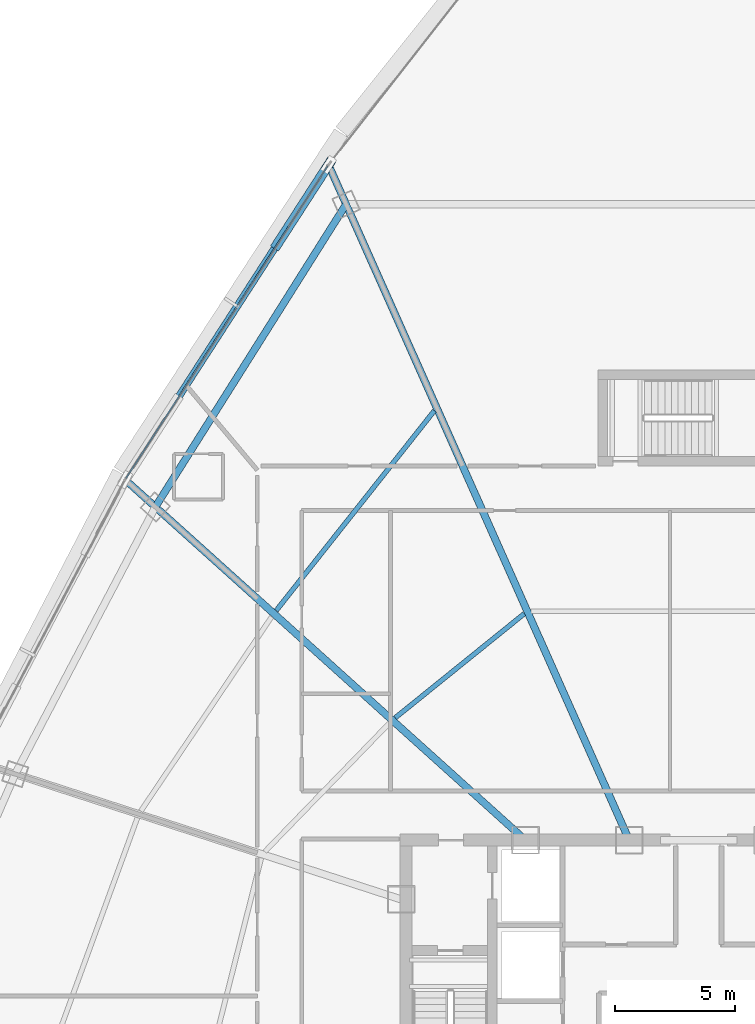
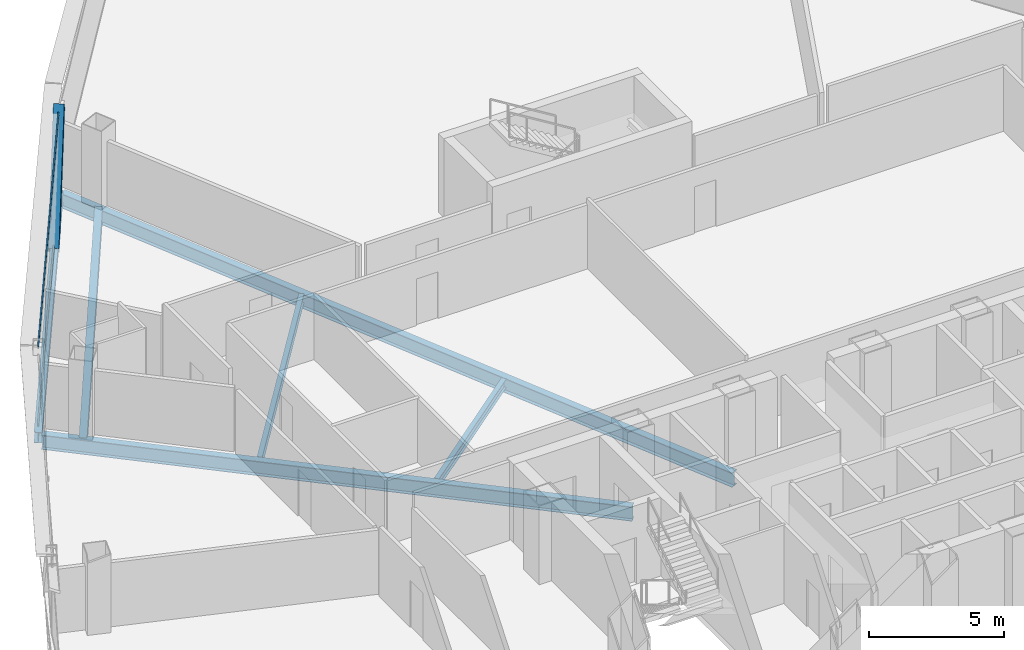
# One storey, part 17 of 38: 6 beams, 3 members, 1 element without a shape of its own.
"""IFC4 building model written with IfcOpenShell, lengths in metres."""

from ifc_helpers import new_model, si_unit, direction, frame, origin, origin_2d, place, context, subcontext, project, spatial, hollow_rectangle, i_section, extrude, source, transform, mapped, material, layer, layer_set, material_profile, profile_set, type_object, element, aggregate, save


model = new_model("IFC4")

# Units and contexts
model_context = context("Model", 3, precision=1e-05, world=origin(), true_north=direction((0.0, 1.0)))
body_context = subcontext(model_context, "Body", "Model", "MODEL_VIEW")
ifc_project = project(units=[si_unit("LENGTHUNIT", "METRE"), si_unit("AREAUNIT", "SQUARE_METRE"), si_unit("VOLUMEUNIT", "CUBIC_METRE"), si_unit("PLANEANGLEUNIT", "RADIAN"), si_unit("MASSUNIT", "GRAM", prefix="KILO"), si_unit("THERMODYNAMICTEMPERATUREUNIT", "KELVIN"), si_unit("POWERUNIT", "WATT")], contexts=[model_context])

# Site, building, storey
site_placement = place(None, origin())
site = spatial("IfcSite", under=ifc_project, at=site_placement, CompositionType="ELEMENT")
building_placement = place(site_placement, origin())
building = spatial("IfcBuilding", under=site, at=building_placement, Name="Yunzhuo Pagoda Commons", CompositionType="ELEMENT")
storey_placement = place(building_placement, frame((0.0, 0.0, 203.760009765625)))
storey = spatial("IfcBuildingStorey", under=building, at=storey_placement, Name="L51", CompositionType="ELEMENT", Elevation=203.760009765625)

# Beams
ifc_material_1 = material(Name="Structural steel Q355B", Category="steel")
ifc_material_profile_1 = material_profile(ifc_material_1, i_section(OverallWidth=0.300048828125, OverallDepth=0.64990234375, WebThickness=0.012939453125, FlangeThickness=0.02197265625, at=origin_2d()), Name="Structural steel Q355B")
ifc_profile_set_1 = profile_set([ifc_material_profile_1], Name="Structural steel Q355B")
beam_type_1 = type_object("IfcBeamType", Name="B-RG2 Beam HN 650x300x13x22", PredefinedType="BEAM", material=ifc_profile_set_1)
shared_shape_1 = source(origin(), body_context, "Body", "SweptSolid", [
    extrude(i_section(OverallWidth=0.300048828125, OverallDepth=0.64990234375, WebThickness=0.012939453125, FlangeThickness=0.02197265625, at=origin_2d()), origin(), (0.0, 0.0, 1.0), 14.916015625),
])
beam_1_placement = place(storey_placement, frame((33.301025390625, 66.714599609375, -0.5849609375), z_axis=(-0.533092374013, -0.846057043449, 0.0), x_axis=(0.846057043449, -0.533092374013, 0.0)))
element("IfcBeam", 1, at=beam_1_placement, inside=storey, type_object=beam_type_1, Name="L51 column-ring beam 9", PredefinedType="BEAM", context=body_context, shape_type="MappedRepresentation", body=[
    mapped(shared_shape_1, transform((0.0, 0.0, 0.0), scale=1.0)),
])
ifc_material_profile_2 = material_profile(ifc_material_1, i_section(OverallWidth=0.199951171875, OverallDepth=0.39990234375, WebThickness=0.008056640625, FlangeThickness=0.012939453125, at=origin_2d()), Name="Structural steel Q355B")
ifc_profile_set_2 = profile_set([ifc_material_profile_2], Name="Structural steel Q355B")
beam_type_2 = type_object("IfcBeamType", Name="B-JS1 Joist HN 400x200x8x13", PredefinedType="JOIST", material=ifc_profile_set_2)
shared_shape_2 = source(origin(), body_context, "Body", "SweptSolid", [
    extrude(i_section(OverallWidth=0.199951171875, OverallDepth=0.39990234375, WebThickness=0.008056640625, FlangeThickness=0.012939453125, at=origin_2d()), origin(), (0.0, 0.0, 1.0), 6.916748046875),
])
beam_2_placement = place(storey_placement, frame((40.732421875, 49.645263671875, -0.4599609375), z_axis=(-0.778265575865, -0.627935262127, 0.0), x_axis=(0.627935262127, -0.778265575865, 0.0)))
element("IfcBeam", 2, at=beam_2_placement, inside=storey, type_object=beam_type_2, Name="L51 composite ring joist 1.9", PredefinedType="JOIST", context=body_context, shape_type="MappedRepresentation", body=[
    mapped(shared_shape_2, transform((0.0, 0.0, 0.0), scale=1.0)),
])
shared_shape_3 = source(origin(), body_context, "Body", "SweptSolid", [
    extrude(i_section(OverallWidth=0.199951171875, OverallDepth=0.39990234375, WebThickness=0.008056640625, FlangeThickness=0.012939453125, at=origin_2d()), origin(), (0.0, 0.0, 1.0), 10.625732421875),
])
beam_3_placement = place(storey_placement, frame((36.980224609375, 58.105224609375, -0.4599609375), z_axis=(-0.620589944532, -0.784135269418, 0.0), x_axis=(0.784135269418, -0.620589944532, 0.0)))
element("IfcBeam", 3, at=beam_3_placement, inside=storey, type_object=beam_type_2, Name="L51 composite ring joist 2.9", PredefinedType="JOIST", context=body_context, shape_type="MappedRepresentation", body=[
    mapped(shared_shape_3, transform((0.0, 0.0, 0.0), scale=1.0)),
])
shared_shape_4 = source(origin(), body_context, "Body", "SweptSolid", [
    extrude(i_section(OverallWidth=0.300048828125, OverallDepth=0.64990234375, WebThickness=0.012939453125, FlangeThickness=0.02197265625, at=origin_2d()), origin(), (0.0, 0.0, 1.0), 22.309326171875),
])
beam_4_placement = place(storey_placement, frame((24.201904296875, 55.1279296875, -0.5849609375), z_axis=(0.743142854704, -0.669132795118, 0.0), x_axis=(0.669132795118, 0.743142854704, 0.0)))
element("IfcBeam", 4, at=beam_4_placement, inside=storey, type_object=beam_type_1, Name="L51 radial floor girder F3C2", PredefinedType="BEAM", context=body_context, shape_type="MappedRepresentation", body=[
    mapped(shared_shape_4, transform((0.0, 0.0, 0.0), scale=1.0)),
])
shared_shape_5 = source(origin(), body_context, "Body", "SweptSolid", [
    extrude(i_section(OverallWidth=0.300048828125, OverallDepth=0.64990234375, WebThickness=0.012939453125, FlangeThickness=0.02197265625, at=origin_2d()), origin(), (0.0, 0.0, 1.0), 30.670166015625),
])
beam_5_placement = place(storey_placement, frame((32.63134765625, 68.218505859375, -0.5849609375), z_axis=(0.406735149386, -0.913546122675, 0.0), x_axis=(0.913546122675, 0.406735149386, 0.0)))
element("IfcBeam", 5, at=beam_5_placement, inside=storey, type_object=beam_type_1, Name="L51 radial floor girder F3C1", PredefinedType="BEAM", context=body_context, shape_type="MappedRepresentation", body=[
    mapped(shared_shape_5, transform((0.0, 0.0, 0.0), scale=1.0)),
])
ifc_material_profile_3 = material_profile(ifc_material_1, i_section(OverallWidth=0.300048828125, OverallDepth=0.488037109375, WebThickness=0.010986328125, FlangeThickness=0.01806640625, at=origin_2d()), Name="Structural steel Q355B")
ifc_profile_set_3 = profile_set([ifc_material_profile_3], Name="Structural steel Q355B")
beam_type_3 = type_object("IfcBeamType", Name="B-SP1 Beam HM 488x300x11x18", PredefinedType="BEAM", material=ifc_profile_set_3)
shared_shape_6 = source(origin(), body_context, "Body", "SweptSolid", [
    extrude(i_section(OverallWidth=0.300048828125, OverallDepth=0.488037109375, WebThickness=0.010986328125, FlangeThickness=0.01806640625, at=origin_2d()), origin(), (0.0, 0.0, 1.0), 15.6298828125),
])
beam_6_placement = place(storey_placement, frame((32.568359375, 68.360107421875, -0.503662109375), z_axis=(-0.542639096157, -0.83996595843, 0.0), x_axis=(0.83996595843, -0.542639096157, 0.0)))
element("IfcBeam", 6, at=beam_6_placement, inside=storey, type_object=beam_type_3, Name="L51 facade edge spandrel beam F3.1", PredefinedType="BEAM", context=body_context, shape_type="MappedRepresentation", body=[
    mapped(shared_shape_6, transform((0.0, 0.0, 0.0), scale=1.0)),
])

# Member
ifc_material_profile_4 = material_profile(ifc_material_1, hollow_rectangle(XDim=0.39990234375, YDim=0.719970703125, WallThickness=0.02392578125, at=origin_2d()), Name="Structural steel Q355B")
ifc_profile_set_4 = profile_set([ifc_material_profile_4], Name="Structural steel Q355B")
member_type_1 = type_object("IfcMemberType", Name="M-DL2 Brace BOX 720x400x24", PredefinedType="BRACE", material=ifc_profile_set_4)
shared_shape_7 = source(origin(), body_context, "Body", "SweptSolid", [
    extrude(hollow_rectangle(XDim=0.39990234375, YDim=0.719970703125, WallThickness=0.02392578125, at=origin_2d()), origin(), (0.0, 0.0, 1.0), 5.45068359375),
])
member_1_placement = place(storey_placement, frame((30.447998046875, 65.077880859375, -0.260009765625), z_axis=(0.389012502589, 0.602174333311, 0.697176695774), x_axis=(-0.839970557763, 0.542631976657, 0.0)))
element("IfcMember", 7, at=member_1_placement, inside=storey, type_object=member_type_1, Name="L51 facade diamond brace F3.1L", PredefinedType="BRACE", context=body_context, shape_type="MappedRepresentation", body=[
    mapped(shared_shape_7, transform((0.0, 0.0, 0.0), scale=1.0)),
])

# Curtain wall, members
ifc_material_2 = material(Name="Anodized aluminium 6063-T6", Category="aluminium")
ifc_layer = layer(ifc_material_2, 0.14990234375)
ifc_layer_set = layer_set([ifc_layer], Name="Anodized aluminium 6063-T6")
curtain_wall_type = type_object("IfcCurtainWallType", Name="CW-MID Mid-Zone Ribbon Curtain Wall", PredefinedType="NOTDEFINED", material=ifc_layer_set)
curtain_wall_placement = place(storey_placement, origin())
curtain_wall = element("IfcCurtainWall", 8, at=curtain_wall_placement, inside=storey, type_object=curtain_wall_type, Name="L51 curtain wall CW-L51-F3B2", PredefinedType="NOTDEFINED")
ifc_material_profile_5 = material_profile(ifc_material_2, hollow_rectangle(XDim=0.054931640625, YDim=0.1298828125, WallThickness=0.00341796875, at=origin_2d()), Name="Anodized aluminium 6063-T6")
ifc_profile_set_5 = profile_set([ifc_material_profile_5], Name="Anodized aluminium 6063-T6")
member_type_2 = type_object("IfcMemberType", Name="CW-MID-T Transom RHS 130x55x3.5", PredefinedType="USERDEFINED", material=ifc_profile_set_5)
shared_shape_8 = source(origin(), body_context, "Body", "SweptSolid", [
    extrude(hollow_rectangle(XDim=0.054931640625, YDim=0.1298828125, WallThickness=0.00341796875, at=origin_2d()), origin(), (0.0, 0.0, 1.0), 15.51025390625),
])
member_2_placement = place(storey_placement, frame((32.535888671875, 68.31005859375, 0.027587890625), z_axis=(-0.542640899083, -0.839964793692, 0.0), x_axis=(0.839964793692, -0.542640899083, 0.0)))
member_2 = element("IfcMember", 9, at=member_2_placement, type_object=member_type_2, Name="CW transom 1.1", ObjectType="TRANSOM", PredefinedType="USERDEFINED", context=body_context, shape_type="MappedRepresentation", body=[
    mapped(shared_shape_8, transform((0.0, 0.0, 0.0), scale=1.0)),
])
member_3_placement = place(storey_placement, frame((32.535888671875, 68.31005859375, 3.512451171875), z_axis=(-0.542640899083, -0.839964793692, 0.0), x_axis=(0.839964793692, -0.542640899083, 0.0)))
member_3 = element("IfcMember", 10, at=member_3_placement, type_object=member_type_2, Name="CW transom 1.2", ObjectType="TRANSOM", PredefinedType="USERDEFINED", context=body_context, shape_type="MappedRepresentation", body=[
    mapped(shared_shape_8, transform((0.0, 0.0, 0.0), scale=1.0)),
])
aggregate(curtain_wall, [member_2, member_3])

save(model, "model.ifc")
